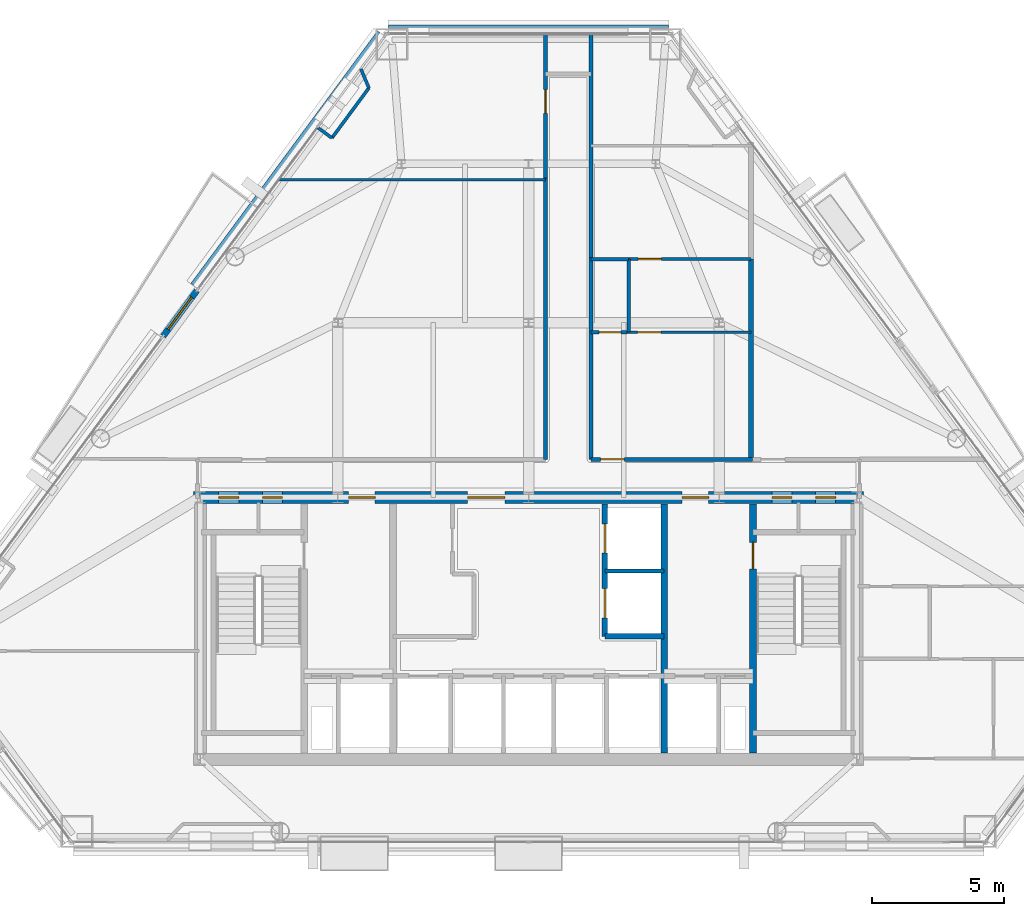
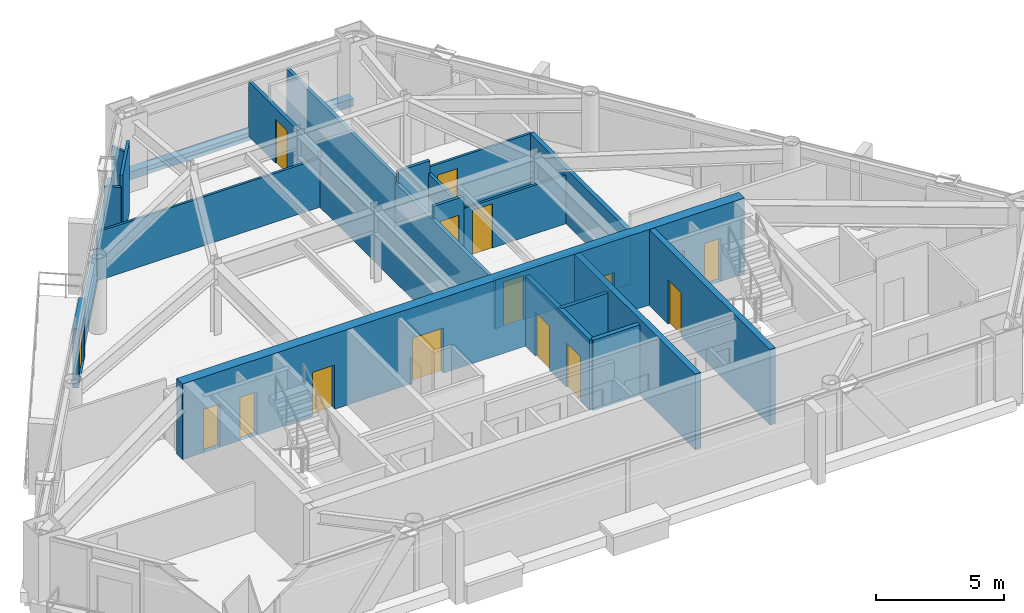
# One storey, part 8 of 11: 24 walls, 16 doors, 16 openings.
"""IFC4 building model written with IfcOpenShell, lengths in metres."""

from ifc_helpers import new_model, si_unit, direction, frame, frame_2d, origin, place, context, subcontext, project, spatial, rectangle, extrude, material, layer, layer_set, type_object, element, fill, save


model = new_model("IFC4")

# Units and contexts
model_context = context("Model", 3, precision=1e-05, world=origin(), true_north=direction((0.0, 1.0)))
body_context = subcontext(model_context, "Body", "Model", "MODEL_VIEW")
ifc_project = project(units=[si_unit("LENGTHUNIT", "METRE"), si_unit("AREAUNIT", "SQUARE_METRE"), si_unit("VOLUMEUNIT", "CUBIC_METRE"), si_unit("PLANEANGLEUNIT", "RADIAN"), si_unit("MASSUNIT", "GRAM", prefix="KILO")], contexts=[model_context])

# Site, building, storey
site_placement = place(None, origin())
site = spatial("IfcSite", under=ifc_project, at=site_placement, CompositionType="ELEMENT")
building_placement = place(site_placement, origin())
building = spatial("IfcBuilding", under=site, at=building_placement, Name="Talgorran Terracotta Tower", CompositionType="ELEMENT")
storey_placement = place(building_placement, frame((0.0, 0.0, 136.5)))
storey = spatial("IfcBuildingStorey", under=building, at=storey_placement, Name="L35", CompositionType="ELEMENT", Elevation=136.5)

# Wall, opening, door
ifc_material_1 = material(Name="Concrete C40/50", Category="concrete")
ifc_layer_1 = layer(ifc_material_1, 0.239990234375, Name="WT_BALCONY_SPAND")
ifc_layer_set_1 = layer_set([ifc_layer_1], Name="Concrete C40/50")
wall_type_1 = type_object("IfcWallType", Name="WT_BALCONY_SPAND", PredefinedType="STANDARD", material=ifc_layer_set_1)
wall_1_placement = place(storey_placement, frame((-12.5322265625, 3.613525390625, -0.014892578125), z_axis=(0.0, 0.0, 1.0), x_axis=(-0.594381437757, -0.804183254271, 0.0)))
wall_1 = element("IfcWall", 1, at=wall_1_placement, inside=storey, type_object=wall_type_1, Name="WL-L35-BALP-BAL-NW", PredefinedType="STANDARD", context=body_context, shape_type="SweptSolid", body=[
    extrude(rectangle(XDim=2.139892578125, YDim=0.239990234375, at=frame_2d((1.06982421875, 0.0))), origin(), (0.0, 0.0, 1.0), 2.806884765625),
])
opening_1_placement = place(wall_1_placement, frame((0.320068359375, 0.0, 0.014892578125)))
opening_1 = element("IfcOpeningElement", 2, at=opening_1_placement, cuts=wall_1, Name="Opening D-BAL-L35-2", PredefinedType="OPENING", context=body_context, shape_type="SweptSolid", body=[
    extrude(rectangle(XDim=1.506, YDim=2.203951171875, at=frame_2d((0.75, 1.10205078125))), frame((0.0, 0.1298828125, 0.0), z_axis=(0.0, -1.0, 0.0), x_axis=(1.0, 0.0, 0.0)), (0.0, 0.0, 1.0), 0.260009765625),
])
ifc_material_2 = material(Name="Thermally Broken Aluminium", Category="aluminium")
door_type_1 = type_object("IfcDoorType", Name="DT_BALC_1500", OperationType="SLIDING_TO_RIGHT", PredefinedType="DOOR", material=ifc_material_2)
door_1_placement = place(opening_1_placement, origin())
door_1 = element("IfcDoor", 3, at=door_1_placement, inside=storey, type_object=door_type_1, Name="DR-L35-BAL-BAL-NW", OperationType="SLIDING_TO_RIGHT", OverallHeight=2.199951171875, OverallWidth=1.5, PredefinedType="DOOR", context=body_context, shape_type="SweptSolid", body=[
    extrude(rectangle(XDim=1.5, YDim=2.199951171875, at=frame_2d((0.75, 1.10009765625))), frame((0.0, 0.02490234375, 0.0), z_axis=(0.0, -1.0, 0.0), x_axis=(1.0, 0.0, 0.0)), (0.0, 0.0, 1.0), 0.050048828125),
])
fill(opening_1, door_1)

# Wall, openings, doors
ifc_material_3 = material(Name="Concrete C50/60", Category="concrete")
ifc_layer_2 = layer(ifc_material_3, 0.199951171875, Name="WT_CORE_200")
ifc_layer_set_2 = layer_set([ifc_layer_2], Name="Concrete C50/60")
wall_type_2 = type_object("IfcWallType", Name="WT_CORE_200", PredefinedType="SOLIDWALL", material=ifc_layer_set_2)
wall_2_placement = place(storey_placement, frame((2.8798828125, -9.449951171875, 0.0), z_axis=(0.0, 0.0, 1.0), x_axis=(0.0, 1.0, 0.0)))
wall_2 = element("IfcWall", 4, at=wall_2_placement, inside=storey, type_object=wall_type_2, Name="WL-L35-CW-V-E3", PredefinedType="SOLIDWALL", context=body_context, shape_type="SweptSolid", body=[
    extrude(rectangle(XDim=5.0, YDim=0.199951171875, at=frame_2d((2.5, 0.0))), origin(), (0.0, 0.0, 1.0), 3.35009765625),
])
opening_2_placement = place(wall_2_placement, frame((0.699951171875, 0.0, 0.0)))
opening_2 = element("IfcOpeningElement", 5, at=opening_2_placement, cuts=wall_2, Name="Opening LD-PLM1", PredefinedType="OPENING", context=body_context, shape_type="SweptSolid", body=[
    extrude(rectangle(XDim=1.10609765625, YDim=2.10409765625, at=frame_2d((0.550048828125, 1.052001953125))), frame((0.0, 0.10986328125, 0.0), z_axis=(0.0, -1.0, 0.0), x_axis=(1.0, 0.0, 0.0)), (0.0, 0.0, 1.0), 0.219970703125),
])
opening_3_placement = place(wall_2_placement, frame((3.14990234375, 0.0, 0.0)))
opening_3 = element("IfcOpeningElement", 6, at=opening_3_placement, cuts=wall_2, Name="Opening LD-PLM2", PredefinedType="OPENING", context=body_context, shape_type="SweptSolid", body=[
    extrude(rectangle(XDim=1.10609765625, YDim=2.10409765625, at=frame_2d((0.550048828125, 1.052001953125))), frame((0.0, 0.10986328125, 0.0), z_axis=(0.0, -1.0, 0.0), x_axis=(1.0, 0.0, 0.0)), (0.0, 0.0, 1.0), 0.219970703125),
])
ifc_material_4 = material(Name="Brushed Stainless Steel Grade 304", Category="steel")
door_type_2 = type_object("IfcDoorType", Name="DT_LIFT_LD1100", OperationType="DOUBLE_DOOR_SLIDING", PredefinedType="DOOR", material=ifc_material_4)
door_2_placement = place(opening_2_placement, origin())
door_2 = element("IfcDoor", 7, at=door_2_placement, inside=storey, type_object=door_type_2, Name="L35 Lift Landing Door LD-PLM1", OperationType="DOUBLE_DOOR_SLIDING", OverallHeight=2.10009765625, OverallWidth=1.10009765625, PredefinedType="DOOR", context=body_context, shape_type="SweptSolid", body=[
    extrude(rectangle(XDim=1.10009765625, YDim=2.10009765625, at=frame_2d((0.550048828125, 1.050048828125))), frame((0.0, 0.02490234375, 0.0), z_axis=(0.0, -1.0, 0.0), x_axis=(1.0, 0.0, 0.0)), (0.0, 0.0, 1.0), 0.050048828125),
])
fill(opening_2, door_2)
door_3_placement = place(opening_3_placement, origin())
door_3 = element("IfcDoor", 8, at=door_3_placement, inside=storey, type_object=door_type_2, Name="L35 Lift Landing Door LD-PLM2", OperationType="DOUBLE_DOOR_SLIDING", OverallHeight=2.10009765625, OverallWidth=1.10009765625, PredefinedType="DOOR", context=body_context, shape_type="SweptSolid", body=[
    extrude(rectangle(XDim=1.10009765625, YDim=2.10009765625, at=frame_2d((0.550048828125, 1.050048828125))), frame((0.0, 0.02490234375, 0.0), z_axis=(0.0, -1.0, 0.0), x_axis=(1.0, 0.0, 0.0)), (0.0, 0.0, 1.0), 0.050048828125),
])
fill(opening_3, door_3)

# Wall
wall_3_placement = place(storey_placement, frame((2.8798828125, -9.449951171875, 0.0), z_axis=(0.0, 0.0, 1.0), x_axis=(1.0, 0.0, 0.0)))
element("IfcWall", 9, at=wall_3_placement, inside=storey, type_object=wall_type_2, Name="WL-L35-CW-H-E4", PredefinedType="SOLIDWALL", context=body_context, shape_type="SweptSolid", body=[
    extrude(rectangle(XDim=2.240234375, YDim=0.199951171875, at=frame_2d((1.1201171875, 0.0))), origin(), (0.0, 0.0, 1.0), 3.35009765625),
])

# Wall, opening, door
ifc_layer_3 = layer(ifc_material_3, 0.25, Name="WT_CORE_250")
ifc_layer_set_3 = layer_set([ifc_layer_3], Name="Concrete C50/60")
wall_type_3 = type_object("IfcWallType", Name="WT_CORE_250", PredefinedType="SHEAR", material=ifc_layer_set_3)
wall_4_placement = place(storey_placement, frame((8.47998046875, -13.85009765625, 0.0), z_axis=(0.0, 0.0, 1.0), x_axis=(0.0, 1.0, 0.0)))
wall_4 = element("IfcWall", 10, at=wall_4_placement, inside=storey, type_object=wall_type_3, Name="WL-L35-CW-V-E1", PredefinedType="SHEAR", context=body_context, shape_type="SweptSolid", body=[
    extrude(rectangle(XDim=9.400146484375, YDim=0.25, at=frame_2d((4.7001953125, 0.0))), origin(), (0.0, 0.0, 1.0), 3.60009765625),
])
opening_4_placement = place(wall_4_placement, frame((6.949951171875, 0.0, 0.0)))
opening_4 = element("IfcOpeningElement", 11, at=opening_4_placement, cuts=wall_4, Name="Opening DR-ST02", PredefinedType="OPENING", context=body_context, shape_type="SweptSolid", body=[
    extrude(rectangle(XDim=1.006, YDim=2.10409765625, at=frame_2d((0.5, 1.052001953125))), frame((0.0, 0.135009765625, 0.0), z_axis=(0.0, -1.0, 0.0), x_axis=(1.0, 0.0, 0.0)), (0.0, 0.0, 1.0), 0.27001953125),
])
ifc_material_5 = material(Name="Fire-Rated Pressed Steel", Category="steel")
door_type_3 = type_object("IfcDoorType", Name="DT_FIRE_1000", OperationType="NOTDEFINED", PredefinedType="DOOR", material=ifc_material_5)
door_4_placement = place(opening_4_placement, origin())
door_4 = element("IfcDoor", 12, at=door_4_placement, inside=storey, type_object=door_type_3, Name="DR-ST02", OperationType="SINGLE_SWING_RIGHT", OverallHeight=2.10009765625, OverallWidth=1.0, PredefinedType="DOOR", context=body_context, shape_type="SweptSolid", body=[
    extrude(rectangle(XDim=1.0, YDim=2.10009765625, at=frame_2d((0.5, 1.050048828125))), frame((0.0, 0.02490234375, 0.0), z_axis=(0.0, -1.0, 0.0), x_axis=(1.0, 0.0, 0.0)), (0.0, 0.0, 1.0), 0.050048828125),
])
fill(opening_4, door_4)

# Wall
wall_5_placement = place(storey_placement, frame((5.1201171875, -13.85009765625, 0.0), z_axis=(0.0, 0.0, 1.0), x_axis=(0.0, 1.0, 0.0)))
element("IfcWall", 13, at=wall_5_placement, inside=storey, type_object=wall_type_3, Name="WL-L35-CW-V-E2", PredefinedType="SHEAR", context=body_context, shape_type="SweptSolid", body=[
    extrude(rectangle(XDim=9.400146484375, YDim=0.25, at=frame_2d((4.7001953125, 0.0))), origin(), (0.0, 0.0, 1.0), 3.60009765625),
])

# Wall, openings, doors
ifc_material_6 = material(Name="Concrete C65/80", Category="concrete")
ifc_layer_4 = layer(ifc_material_6, 0.449951171875, Name="WT_CORE_EXT")
ifc_layer_set_4 = layer_set([ifc_layer_4], Name="Concrete C65/80")
wall_type_4 = type_object("IfcWallType", Name="WT_CORE_EXT", PredefinedType="SHEAR", material=ifc_layer_set_4)
wall_6_placement = place(storey_placement, frame((-12.64990234375, -4.199951171875, 0.0), z_axis=(0.0, 0.0, 1.0), x_axis=(1.0, 0.0, 0.0)))
wall_6 = element("IfcWall", 14, at=wall_6_placement, inside=storey, type_object=wall_type_4, Name="WL-L35-CW-OUT-N", PredefinedType="SHEAR", context=body_context, shape_type="SweptSolid", body=[
    extrude(rectangle(XDim=25.2998046875, YDim=0.449951171875, at=frame_2d((12.64990234375, 0.0))), origin(), (0.0, 0.0, 1.0), 3.60009765625),
])
opening_5_placement = place(wall_6_placement, frame((0.949951171875, 0.0, 0.0)))
opening_5 = element("IfcOpeningElement", 15, at=opening_5_placement, cuts=wall_6, Name="Opening DR-CSN1", PredefinedType="OPENING", context=body_context, shape_type="SweptSolid", body=[
    extrude(rectangle(XDim=0.756, YDim=2.054048828125, at=frame_2d((0.375, 1.027099609375))), frame((0.0, 0.23486328125, 0.0), z_axis=(0.0, -1.0, 0.0), x_axis=(1.0, 0.0, 0.0)), (0.0, 0.0, 1.0), 0.469970703125),
])
opening_6_placement = place(wall_6_placement, frame((2.60009765625, 0.0, 0.0)))
opening_6 = element("IfcOpeningElement", 16, at=opening_6_placement, cuts=wall_6, Name="Opening DR-CSN2", PredefinedType="OPENING", context=body_context, shape_type="SweptSolid", body=[
    extrude(rectangle(XDim=0.756, YDim=2.054048828125, at=frame_2d((0.375, 1.027099609375))), frame((0.0, 0.23486328125, 0.0), z_axis=(0.0, -1.0, 0.0), x_axis=(1.0, 0.0, 0.0)), (0.0, 0.0, 1.0), 0.469970703125),
])
opening_7_placement = place(wall_6_placement, frame((21.85009765625, 0.0, 0.0)))
opening_7 = element("IfcOpeningElement", 17, at=opening_7_placement, cuts=wall_6, Name="Opening DR-CSN3", PredefinedType="OPENING", context=body_context, shape_type="SweptSolid", body=[
    extrude(rectangle(XDim=0.756, YDim=2.054048828125, at=frame_2d((0.375, 1.027099609375))), frame((0.0, 0.23486328125, 0.0), z_axis=(0.0, -1.0, 0.0), x_axis=(1.0, 0.0, 0.0)), (0.0, 0.0, 1.0), 0.469970703125),
])
opening_8_placement = place(wall_6_placement, frame((23.5, 0.0, 0.0)))
opening_8 = element("IfcOpeningElement", 18, at=opening_8_placement, cuts=wall_6, Name="Opening DR-CSN4", PredefinedType="OPENING", context=body_context, shape_type="SweptSolid", body=[
    extrude(rectangle(XDim=0.756, YDim=2.054048828125, at=frame_2d((0.375, 1.027099609375))), frame((0.0, 0.23486328125, 0.0), z_axis=(0.0, -1.0, 0.0), x_axis=(1.0, 0.0, 0.0)), (0.0, 0.0, 1.0), 0.469970703125),
])
opening_9_placement = place(wall_6_placement, frame((5.85009765625, 0.0, 0.0)))
opening_9 = element("IfcOpeningElement", 19, at=opening_9_placement, cuts=wall_6, Name="Opening DR-FFLW-N", PredefinedType="OPENING", context=body_context, shape_type="SweptSolid", body=[
    extrude(rectangle(XDim=1.006, YDim=2.10409765625, at=frame_2d((0.5, 1.052001953125))), frame((0.0, 0.23486328125, 0.0), z_axis=(0.0, -1.0, 0.0), x_axis=(1.0, 0.0, 0.0)), (0.0, 0.0, 1.0), 0.469970703125),
])
opening_10_placement = place(wall_6_placement, frame((10.35009765625, 0.0, 0.0)))
opening_10 = element("IfcOpeningElement", 20, at=opening_10_placement, cuts=wall_6, Name="Opening DR-PLL-N", PredefinedType="OPENING", context=body_context, shape_type="SweptSolid", body=[
    extrude(rectangle(XDim=1.40590234375, YDim=2.15390234375, at=frame_2d((0.699951171875, 1.076904296875))), frame((0.0, 0.23486328125, 0.0), z_axis=(0.0, -1.0, 0.0), x_axis=(1.0, 0.0, 0.0)), (0.0, 0.0, 1.0), 0.469970703125),
])
opening_11_placement = place(wall_6_placement, frame((18.449951171875, 0.0, 0.0)))
opening_11 = element("IfcOpeningElement", 21, at=opening_11_placement, cuts=wall_6, Name="Opening DR-FFLE-N", PredefinedType="OPENING", context=body_context, shape_type="SweptSolid", body=[
    extrude(rectangle(XDim=1.006, YDim=2.10409765625, at=frame_2d((0.5, 1.052001953125))), frame((0.0, 0.23486328125, 0.0), z_axis=(0.0, -1.0, 0.0), x_axis=(1.0, 0.0, 0.0)), (0.0, 0.0, 1.0), 0.469970703125),
])
ifc_material_7 = material(Name="Acoustic Glazed Timber", Category="wood")
door_type_4 = type_object("IfcDoorType", Name="DT_DOUBLE_1400", OperationType="DOUBLE_DOOR_SINGLE_SWING", PredefinedType="DOOR", material=ifc_material_7)
door_5_placement = place(opening_10_placement, origin())
door_5 = element("IfcDoor", 22, at=door_5_placement, inside=storey, type_object=door_type_4, Name="DR-PLL-N", OperationType="DOUBLE_DOOR_SINGLE_SWING", OverallHeight=2.14990234375, OverallWidth=1.39990234375, PredefinedType="DOOR", context=body_context, shape_type="SweptSolid", body=[
    extrude(rectangle(XDim=1.39990234375, YDim=2.14990234375, at=frame_2d((0.699951171875, 1.074951171875))), frame((0.0, 0.02490234375, 0.0), z_axis=(0.0, -1.0, 0.0), x_axis=(1.0, 0.0, 0.0)), (0.0, 0.0, 1.0), 0.050048828125),
])
fill(opening_10, door_5)
door_6_placement = place(opening_9_placement, origin())
door_6 = element("IfcDoor", 23, at=door_6_placement, inside=storey, type_object=door_type_3, Name="DR-FFLW-N", OperationType="SINGLE_SWING_LEFT", OverallHeight=2.10009765625, OverallWidth=1.0, PredefinedType="DOOR", context=body_context, shape_type="SweptSolid", body=[
    extrude(rectangle(XDim=1.0, YDim=2.10009765625, at=frame_2d((0.5, 1.050048828125))), frame((0.0, 0.02490234375, 0.0), z_axis=(0.0, -1.0, 0.0), x_axis=(1.0, 0.0, 0.0)), (0.0, 0.0, 1.0), 0.050048828125),
])
fill(opening_9, door_6)
door_7_placement = place(opening_11_placement, origin())
door_7 = element("IfcDoor", 24, at=door_7_placement, inside=storey, type_object=door_type_3, Name="DR-FFLE-N", OperationType="SINGLE_SWING_RIGHT", OverallHeight=2.10009765625, OverallWidth=1.0, PredefinedType="DOOR", context=body_context, shape_type="SweptSolid", body=[
    extrude(rectangle(XDim=1.0, YDim=2.10009765625, at=frame_2d((0.5, 1.050048828125))), frame((0.0, 0.02490234375, 0.0), z_axis=(0.0, -1.0, 0.0), x_axis=(1.0, 0.0, 0.0)), (0.0, 0.0, 1.0), 0.050048828125),
])
fill(opening_11, door_7)
door_type_5 = type_object("IfcDoorType", Name="DT_RISER_750", OperationType="NOTDEFINED", PredefinedType="DOOR", material=ifc_material_5)
door_8_placement = place(opening_5_placement, origin())
door_8 = element("IfcDoor", 25, at=door_8_placement, inside=storey, type_object=door_type_5, Name="DR-CSN1", OperationType="SINGLE_SWING_LEFT", OverallHeight=2.050048828125, OverallWidth=0.75, PredefinedType="DOOR", context=body_context, shape_type="SweptSolid", body=[
    extrude(rectangle(XDim=0.75, YDim=2.050048828125, at=frame_2d((0.375, 1.02490234375))), frame((0.0, 0.02490234375, 0.0), z_axis=(0.0, -1.0, 0.0), x_axis=(1.0, 0.0, 0.0)), (0.0, 0.0, 1.0), 0.050048828125),
])
fill(opening_5, door_8)
door_9_placement = place(opening_6_placement, origin())
door_9 = element("IfcDoor", 26, at=door_9_placement, inside=storey, type_object=door_type_5, Name="DR-CSN2", OperationType="SINGLE_SWING_RIGHT", OverallHeight=2.050048828125, OverallWidth=0.75, PredefinedType="DOOR", context=body_context, shape_type="SweptSolid", body=[
    extrude(rectangle(XDim=0.75, YDim=2.050048828125, at=frame_2d((0.375, 1.02490234375))), frame((0.0, 0.02490234375, 0.0), z_axis=(0.0, -1.0, 0.0), x_axis=(1.0, 0.0, 0.0)), (0.0, 0.0, 1.0), 0.050048828125),
])
fill(opening_6, door_9)
door_10_placement = place(opening_7_placement, origin())
door_10 = element("IfcDoor", 27, at=door_10_placement, inside=storey, type_object=door_type_5, Name="DR-CSN3", OperationType="SINGLE_SWING_LEFT", OverallHeight=2.050048828125, OverallWidth=0.75, PredefinedType="DOOR", context=body_context, shape_type="SweptSolid", body=[
    extrude(rectangle(XDim=0.75, YDim=2.050048828125, at=frame_2d((0.375, 1.02490234375))), frame((0.0, 0.02490234375, 0.0), z_axis=(0.0, -1.0, 0.0), x_axis=(1.0, 0.0, 0.0)), (0.0, 0.0, 1.0), 0.050048828125),
])
fill(opening_7, door_10)
door_11_placement = place(opening_8_placement, origin())
door_11 = element("IfcDoor", 28, at=door_11_placement, inside=storey, type_object=door_type_5, Name="DR-CSN4", OperationType="SINGLE_SWING_RIGHT", OverallHeight=2.050048828125, OverallWidth=0.75, PredefinedType="DOOR", context=body_context, shape_type="SweptSolid", body=[
    extrude(rectangle(XDim=0.75, YDim=2.050048828125, at=frame_2d((0.375, 1.02490234375))), frame((0.0, 0.02490234375, 0.0), z_axis=(0.0, -1.0, 0.0), x_axis=(1.0, 0.0, 0.0)), (0.0, 0.0, 1.0), 0.050048828125),
])
fill(opening_8, door_11)

# Wall
ifc_material_8 = material(Name="Fire-Rated Steel Stud Plasterboard", Category="steel")
ifc_layer_5 = layer(ifc_material_8, 0.14990234375, Name="WT_FIRE_150")
ifc_layer_set_5 = layer_set([ifc_layer_5], Name="Fire-Rated Steel Stud Plasterboard")
wall_type_5 = type_object("IfcWallType", Name="WT_FIRE_150", PredefinedType="PARTITIONING", material=ifc_layer_set_5)
wall_7_placement = place(storey_placement, frame((0.639892578125, -2.760009765625, 0.0), z_axis=(0.0, 0.0, 1.0), x_axis=(0.0, 1.0, 0.0)))
element("IfcWall", 29, at=wall_7_placement, inside=storey, type_object=wall_type_5, Name="WL-L35-W-L35-R03", PredefinedType="PARTITIONING", context=body_context, shape_type="SweptSolid", body=[
    extrude(rectangle(XDim=10.6201171875, YDim=0.14990234375, at=frame_2d((5.31005859375, 0.0))), origin(), (0.0, 0.0, 1.0), 2.324951171875),
])

# Wall, opening, door
wall_8_placement = place(storey_placement, frame((2.360107421875, -2.760009765625, 0.0), z_axis=(0.0, 0.0, 1.0), x_axis=(1.0, 0.0, 0.0)))
wall_8 = element("IfcWall", 30, at=wall_8_placement, inside=storey, type_object=wall_type_5, Name="WL-L35-W-L35-R07", PredefinedType="PARTITIONING", context=body_context, shape_type="SweptSolid", body=[
    extrude(rectangle(XDim=6.099853515625, YDim=0.14990234375, at=frame_2d((3.0498046875, 0.0))), origin(), (0.0, 0.0, 1.0), 2.324951171875),
])
opening_12_placement = place(wall_8_placement, frame((0.358154296875, 0.0, 0.0)))
opening_12 = element("IfcOpeningElement", 31, at=opening_12_placement, cuts=wall_8, Name="Opening DR-L35-R08", PredefinedType="OPENING", context=body_context, shape_type="SweptSolid", body=[
    extrude(rectangle(XDim=0.90590234375, YDim=2.10409765625, at=frame_2d((0.449951171875, 1.052001953125))), frame((0.0, 0.0849609375, 0.0), z_axis=(0.0, -1.0, 0.0), x_axis=(1.0, 0.0, 0.0)), (0.0, 0.0, 1.0), 0.169921875),
])
ifc_material_9 = material(Name="Fire-Rated Timber Core", Category="wood")
door_type_6 = type_object("IfcDoorType", Name="DT_FIRE_900", OperationType="NOTDEFINED", PredefinedType="DOOR", material=ifc_material_9)
door_12_placement = place(opening_12_placement, origin())
door_12 = element("IfcDoor", 32, at=door_12_placement, inside=storey, type_object=door_type_6, Name="DR-L35-R08", OperationType="SINGLE_SWING_RIGHT", OverallHeight=2.10009765625, OverallWidth=0.89990234375, PredefinedType="DOOR", context=body_context, shape_type="SweptSolid", body=[
    extrude(rectangle(XDim=0.89990234375, YDim=2.10009765625, at=frame_2d((0.449951171875, 1.050048828125))), frame((0.0, 0.02490234375, 0.0), z_axis=(0.0, -1.0, 0.0), x_axis=(1.0, 0.0, 0.0)), (0.0, 0.0, 1.0), 0.050048828125),
])
fill(opening_12, door_12)

wall_9_placement = place(storey_placement, frame((0.639892578125, 7.862060546875, 0.0), z_axis=(0.0, 0.0, 1.0), x_axis=(0.0, 1.0, 0.0)))
wall_9 = element("IfcWall", 33, at=wall_9_placement, inside=storey, type_object=wall_type_5, Name="WL-L35-W-L35-R04", PredefinedType="PARTITIONING", context=body_context, shape_type="SweptSolid", body=[
    extrude(rectangle(XDim=5.451416015625, YDim=0.14990234375, at=frame_2d((2.7255859375, 0.0))), origin(), (0.0, 0.0, 1.0), 2.616943359375),
])
opening_13_placement = place(wall_9_placement, frame((2.444580078125, 0.0, 0.0)))
opening_13 = element("IfcOpeningElement", 34, at=opening_13_placement, cuts=wall_9, Name="Opening DR-L35-R07", PredefinedType="OPENING", context=body_context, shape_type="SweptSolid", body=[
    extrude(rectangle(XDim=0.90590234375, YDim=2.10409765625, at=frame_2d((0.449951171875, 1.052001953125))), frame((0.0, 0.0849609375, 0.0), z_axis=(0.0, -1.0, 0.0), x_axis=(1.0, 0.0, 0.0)), (0.0, 0.0, 1.0), 0.169921875),
])
door_13_placement = place(opening_13_placement, origin())
door_13 = element("IfcDoor", 35, at=door_13_placement, inside=storey, type_object=door_type_6, Name="DR-L35-R07", OperationType="SINGLE_SWING_LEFT", OverallHeight=2.10009765625, OverallWidth=0.89990234375, PredefinedType="DOOR", context=body_context, shape_type="SweptSolid", body=[
    extrude(rectangle(XDim=0.89990234375, YDim=2.10009765625, at=frame_2d((0.449951171875, 1.050048828125))), frame((0.0, 0.02490234375, 0.0), z_axis=(0.0, -1.0, 0.0), x_axis=(1.0, 0.0, 0.0)), (0.0, 0.0, 1.0), 0.050048828125),
])
fill(opening_13, door_13)

# Walls
wall_10_placement = place(storey_placement, frame((2.360107421875, -2.760009765625, 0.0), z_axis=(0.0, 0.0, 1.0), x_axis=(0.0, 1.0, 0.0)))
element("IfcWall", 36, at=wall_10_placement, inside=storey, type_object=wall_type_5, Name="WL-L35-W-L35-R06", PredefinedType="PARTITIONING", context=body_context, shape_type="SweptSolid", body=[
    extrude(rectangle(XDim=7.6201171875, YDim=0.14990234375, at=frame_2d((3.81005859375, 0.0))), origin(), (0.0, 0.0, 1.0), 2.324951171875),
])
wall_11_placement = place(storey_placement, frame((2.360107421875, 4.862060546875, 0.0), z_axis=(0.0, 0.0, 1.0), x_axis=(0.0, 1.0, 0.0)))
element("IfcWall", 37, at=wall_11_placement, inside=storey, type_object=wall_type_5, Name="WL-L35-W-L35-R09", PredefinedType="PARTITIONING", context=body_context, shape_type="SweptSolid", body=[
    extrude(rectangle(XDim=8.451416015625, YDim=0.14990234375, at=frame_2d((4.2255859375, 0.0))), origin(), (0.0, 0.0, 1.0), 2.616943359375),
])
ifc_layer_6 = layer(ifc_material_1, 0.219970703125, Name="WT_PARAPET_RC")
ifc_layer_set_6 = layer_set([ifc_layer_6], Name="Concrete C40/50")
wall_type_6 = type_object("IfcWallType", Name="WT_PARAPET_RC", PredefinedType="PARAPET", material=ifc_layer_set_6)
wall_12_placement = place(storey_placement, frame((5.283203125, 13.473388671875, -0.199951171875), z_axis=(0.0, 0.0, 1.0), x_axis=(-1.0, 0.0, 0.0)))
element("IfcWall", 38, at=wall_12_placement, inside=storey, type_object=wall_type_6, Name="L35 Striped Portal Precast Cornice F4", PredefinedType="PARAPET", context=body_context, shape_type="SweptSolid", body=[
    extrude(rectangle(XDim=10.56640625, YDim=0.360107421875, at=frame_2d((5.283203125, 0.0))), origin(), (0.0, 0.0, 1.0), 0.3798828125),
])
wall_13_placement = place(storey_placement, frame((-5.563232421875, 13.31201171875, -0.199951171875), z_axis=(0.0, 0.0, 1.0), x_axis=(-0.594365575478, -0.804194978029, 0.0)))
element("IfcWall", 39, at=wall_13_placement, inside=storey, type_object=wall_type_6, Name="L35 Striped Portal Precast Cornice F60", PredefinedType="PARAPET", context=body_context, shape_type="SweptSolid", body=[
    extrude(rectangle(XDim=11.8515625, YDim=0.360107421875, at=frame_2d((5.92578125, 0.0))), origin(), (0.0, 0.0, 1.0), 0.3798828125),
])
ifc_material_10 = material(Name="Acoustic Stud and Plasterboard")
ifc_layer_7 = layer(ifc_material_10, 0.179931640625, Name="WT_PARTY_200")
ifc_layer_set_7 = layer_set([ifc_layer_7], Name="Acoustic Stud and Plasterboard")
wall_type_7 = type_object("IfcWallType", Name="WT_PARTY_200", PredefinedType="PARTITIONING", material=ifc_layer_set_7)
wall_14_placement = place(storey_placement, frame((8.39990234375, -2.760009765625, 0.0), z_axis=(0.0, 0.0, 1.0), x_axis=(0.0, 1.0, 0.0)))
element("IfcWall", 40, at=wall_14_placement, inside=storey, type_object=wall_type_7, Name="WL-L35-W-L35-R27", PredefinedType="PARTITIONING", context=body_context, shape_type="SweptSolid", body=[
    extrude(rectangle(XDim=7.56005859375, YDim=0.179931640625, at=frame_2d((3.780029296875, 0.0))), origin(), (0.0, 0.0, 1.0), 2.616943359375),
])
ifc_material_11 = material(Name="Lightweight Steel Stud Partition", Category="steel")
ifc_layer_8 = layer(ifc_material_11, 0.10498046875, Name="WT_PART_110")
ifc_layer_set_8 = layer_set([ifc_layer_8], Name="Lightweight Steel Stud Partition")
wall_type_8 = type_object("IfcWallType", Name="WT_PART_110", PredefinedType="PARTITIONING", material=ifc_layer_set_8)
wall_15_placement = place(storey_placement, frame((-9.43798828125, 7.800048828125, 0.0), z_axis=(0.0, 0.0, 1.0), x_axis=(1.0, 0.0, 0.0)))
element("IfcWall", 41, at=wall_15_placement, inside=storey, type_object=wall_type_8, Name="WL-L35-W-L35-R23", PredefinedType="PARTITIONING", context=body_context, shape_type="SweptSolid", body=[
    extrude(rectangle(XDim=10.077880859375, YDim=0.10498046875, at=frame_2d((5.0390625, 0.0))), origin(), (0.0, 0.0, 1.0), 2.324951171875),
])

# Wall, opening, door
wall_16_placement = place(storey_placement, frame((3.719970703125, 2.0400390625, 0.0), z_axis=(0.0, 0.0, 1.0), x_axis=(1.0, 0.0, 0.0)))
wall_16 = element("IfcWall", 42, at=wall_16_placement, inside=storey, type_object=wall_type_8, Name="WL-L35-W-L35-R26", PredefinedType="PARTITIONING", context=body_context, shape_type="SweptSolid", body=[
    extrude(rectangle(XDim=4.679931640625, YDim=0.10498046875, at=frame_2d((2.33984375, 0.0))), origin(), (0.0, 0.0, 1.0), 2.324951171875),
])
opening_14_placement = place(wall_16_placement, frame((0.39990234375, 0.0, 0.0)))
opening_14 = element("IfcOpeningElement", 43, at=opening_14_placement, cuts=wall_16, Name="Opening DR-L35-R10", PredefinedType="OPENING", context=body_context, shape_type="SweptSolid", body=[
    extrude(rectangle(XDim=0.8858828125, YDim=2.10409765625, at=frame_2d((0.43994140625, 1.052001953125))), frame((0.0, 0.0625, 0.0), z_axis=(0.0, -1.0, 0.0), x_axis=(1.0, 0.0, 0.0)), (0.0, 0.0, 1.0), 0.125),
])
ifc_material_12 = material(Name="Solid-Core Painted Timber", Category="wood")
door_type_7 = type_object("IfcDoorType", Name="DT_INT_880", OperationType="NOTDEFINED", PredefinedType="DOOR", material=ifc_material_12)
door_14_placement = place(opening_14_placement, origin())
door_14 = element("IfcDoor", 44, at=door_14_placement, inside=storey, type_object=door_type_7, Name="DR-L35-R10", OperationType="SINGLE_SWING_RIGHT", OverallHeight=2.10009765625, OverallWidth=0.8798828125, PredefinedType="DOOR", context=body_context, shape_type="SweptSolid", body=[
    extrude(rectangle(XDim=0.8798828125, YDim=2.10009765625, at=frame_2d((0.43994140625, 1.050048828125))), frame((0.0, 0.02490234375, 0.0), z_axis=(0.0, -1.0, 0.0), x_axis=(1.0, 0.0, 0.0)), (0.0, 0.0, 1.0), 0.050048828125),
])
fill(opening_14, door_14)

wall_17_placement = place(storey_placement, frame((3.780029296875, 4.800048828125, 0.0), z_axis=(0.0, 0.0, 1.0), x_axis=(1.0, 0.0, 0.0)))
wall_17 = element("IfcWall", 45, at=wall_17_placement, inside=storey, type_object=wall_type_8, Name="WL-L35-W-L35-R30", PredefinedType="PARTITIONING", context=body_context, shape_type="SweptSolid", body=[
    extrude(rectangle(XDim=4.619873046875, YDim=0.10498046875, at=frame_2d((2.31005859375, 0.0))), origin(), (0.0, 0.0, 1.0), 2.616943359375),
])
opening_15_placement = place(wall_17_placement, frame((0.358642578125, 0.0, 0.0)))
opening_15 = element("IfcOpeningElement", 46, at=opening_15_placement, cuts=wall_17, Name="Opening DR-L35-R11", PredefinedType="OPENING", context=body_context, shape_type="SweptSolid", body=[
    extrude(rectangle(XDim=0.8858828125, YDim=2.10409765625, at=frame_2d((0.43994140625, 1.052001953125))), frame((0.0, 0.0625, 0.0), z_axis=(0.0, -1.0, 0.0), x_axis=(1.0, 0.0, 0.0)), (0.0, 0.0, 1.0), 0.125),
])
door_15_placement = place(opening_15_placement, origin())
door_15 = element("IfcDoor", 47, at=door_15_placement, inside=storey, type_object=door_type_7, Name="DR-L35-R11", OperationType="SINGLE_SWING_LEFT", OverallHeight=2.10009765625, OverallWidth=0.8798828125, PredefinedType="DOOR", context=body_context, shape_type="SweptSolid", body=[
    extrude(rectangle(XDim=0.8798828125, YDim=2.10009765625, at=frame_2d((0.43994140625, 1.050048828125))), frame((0.0, 0.02490234375, 0.0), z_axis=(0.0, -1.0, 0.0), x_axis=(1.0, 0.0, 0.0)), (0.0, 0.0, 1.0), 0.050048828125),
])
fill(opening_15, door_15)

# Walls
ifc_material_13 = material(Name="Insulated Steel Stud Plasterboard", Category="steel")
ifc_layer_9 = layer(ifc_material_13, 0.1201171875, Name="WT_PART_120")
ifc_layer_set_9 = layer_set([ifc_layer_9], Name="Insulated Steel Stud Plasterboard")
wall_type_9 = type_object("IfcWallType", Name="WT_PART_120", PredefinedType="PARTITIONING", material=ifc_layer_set_9)
wall_18_placement = place(storey_placement, frame((-6.030517578125, 11.2666015625, 0.0), z_axis=(0.0, 0.0, 1.0), x_axis=(-0.594385220585, -0.804180458324, 0.0)))
element("IfcWall", 48, at=wall_18_placement, inside=storey, type_object=wall_type_9, Name="WL-L35-BW-L35-14", PredefinedType="PARTITIONING", context=body_context, shape_type="SweptSolid", body=[
    extrude(rectangle(XDim=2.3505859375, YDim=0.1201171875, at=frame_2d((1.17529296875, 0.0))), origin(), (0.0, 0.0, 1.0), 3.35009765625),
])
wall_19_placement = place(storey_placement, frame((-6.333740234375, 11.983642578125, 0.0), z_axis=(0.0, 0.0, 1.0), x_axis=(0.389486531809, -0.921032160969, 0.0)))
element("IfcWall", 49, at=wall_19_placement, inside=storey, type_object=wall_type_9, Name="WL-L35-BW-L35-13", PredefinedType="PARTITIONING", context=body_context, shape_type="SweptSolid", body=[
    extrude(rectangle(XDim=0.778564453125, YDim=0.1201171875, at=frame_2d((0.38916015625, 0.0))), origin(), (0.0, 0.0, 1.0), 2.7919921875),
])
wall_20_placement = place(storey_placement, frame((-7.427734375, 9.376220703125, 0.0), z_axis=(0.0, 0.0, 1.0), x_axis=(-0.804221577226, 0.594329584257, 0.0)))
element("IfcWall", 50, at=wall_20_placement, inside=storey, type_object=wall_type_9, Name="WL-L35-BW-L35-15", PredefinedType="PARTITIONING", context=body_context, shape_type="SweptSolid", body=[
    extrude(rectangle(XDim=0.669921875, YDim=0.1201171875, at=frame_2d((0.3349609375, 0.0))), origin(), (0.0, 0.0, 1.0), 2.7919921875),
])
ifc_material_14 = material(Name="Moisture-Resistant Stud Wall")
ifc_layer_10 = layer(ifc_material_14, 0.135009765625, Name="WT_PART_135")
ifc_layer_set_10 = layer_set([ifc_layer_10], Name="Moisture-Resistant Stud Wall")
wall_type_10 = type_object("IfcWallType", Name="WT_PART_135", PredefinedType="PARTITIONING", material=ifc_layer_set_10)
wall_21_placement = place(storey_placement, frame((3.780029296875, 2.0400390625, 0.0), z_axis=(0.0, 0.0, 1.0), x_axis=(0.0, 1.0, 0.0)))
element("IfcWall", 51, at=wall_21_placement, inside=storey, type_object=wall_type_10, Name="WL-L35-W-L35-R28", PredefinedType="PARTITIONING", context=body_context, shape_type="SweptSolid", body=[
    extrude(rectangle(XDim=2.760009765625, YDim=0.135009765625, at=frame_2d((1.3798828125, 0.0))), origin(), (0.0, 0.0, 1.0), 2.324951171875),
])

# Wall, opening, door
wall_22_placement = place(storey_placement, frame((2.360107421875, 2.0400390625, 0.0), z_axis=(0.0, 0.0, 1.0), x_axis=(1.0, 0.0, 0.0)))
wall_22 = element("IfcWall", 52, at=wall_22_placement, inside=storey, type_object=wall_type_10, Name="WL-L35-W-L35-R25", PredefinedType="PARTITIONING", context=body_context, shape_type="SweptSolid", body=[
    extrude(rectangle(XDim=1.35791015625, YDim=0.135009765625, at=frame_2d((0.678955078125, 0.0))), origin(), (0.0, 0.0, 1.0), 2.918701171875),
])
opening_16_placement = place(wall_22_placement, frame((0.310791015625, 0.0, 0.0)))
opening_16 = element("IfcOpeningElement", 53, at=opening_16_placement, cuts=wall_22, Name="Opening DR-L35-R09", PredefinedType="OPENING", context=body_context, shape_type="SweptSolid", body=[
    extrude(rectangle(XDim=0.826068359375, YDim=2.10409765625, at=frame_2d((0.41015625, 1.052001953125))), frame((0.0, 0.07763671875, 0.0), z_axis=(0.0, -1.0, 0.0), x_axis=(1.0, 0.0, 0.0)), (0.0, 0.0, 1.0), 0.155029296875),
])
ifc_material_15 = material(Name="Moisture-Resistant Solid Timber", Category="wood")
door_type_8 = type_object("IfcDoorType", Name="DT_INT_820", OperationType="NOTDEFINED", PredefinedType="DOOR", material=ifc_material_15)
door_16_placement = place(opening_16_placement, origin())
door_16 = element("IfcDoor", 54, at=door_16_placement, inside=storey, type_object=door_type_8, Name="DR-L35-R09", OperationType="SINGLE_SWING_LEFT", OverallHeight=2.10009765625, OverallWidth=0.820068359375, PredefinedType="DOOR", context=body_context, shape_type="SweptSolid", body=[
    extrude(rectangle(XDim=0.820068359375, YDim=2.10009765625, at=frame_2d((0.41015625, 1.050048828125))), frame((0.0, 0.02490234375, 0.0), z_axis=(0.0, -1.0, 0.0), x_axis=(1.0, 0.0, 0.0)), (0.0, 0.0, 1.0), 0.050048828125),
])
fill(opening_16, door_16)

# Walls
wall_23_placement = place(storey_placement, frame((2.360107421875, 4.800048828125, 0.0), z_axis=(0.0, 0.0, 1.0), x_axis=(1.0, 0.0, 0.0)))
element("IfcWall", 55, at=wall_23_placement, inside=storey, type_object=wall_type_10, Name="WL-L35-W-L35-R29", PredefinedType="PARTITIONING", context=body_context, shape_type="SweptSolid", body=[
    extrude(rectangle(XDim=1.419921875, YDim=0.135009765625, at=frame_2d((0.7099609375, 0.0))), origin(), (0.0, 0.0, 1.0), 2.918701171875),
])
ifc_material_16 = material(Name="Fire-Rated Shaftwall")
ifc_layer_11 = layer(ifc_material_16, 0.159912109375, Name="WT_PART_150")
ifc_layer_set_11 = layer_set([ifc_layer_11], Name="Fire-Rated Shaftwall")
wall_type_11 = type_object("IfcWallType", Name="WT_PART_150", PredefinedType="PARTITIONING", material=ifc_layer_set_11)
wall_24_placement = place(storey_placement, frame((2.8798828125, -6.97998046875, 0.0), z_axis=(0.0, 0.0, 1.0), x_axis=(1.0, 0.0, 0.0)))
element("IfcWall", 56, at=wall_24_placement, inside=storey, type_object=wall_type_11, Name="WL-L35-CW-PLM-DIV", PredefinedType="PARTITIONING", context=body_context, shape_type="SweptSolid", body=[
    extrude(rectangle(XDim=2.240234375, YDim=0.159912109375, at=frame_2d((1.1201171875, 0.0))), origin(), (0.0, 0.0, 1.0), 3.35009765625),
])

save(model, "model.ifc")
